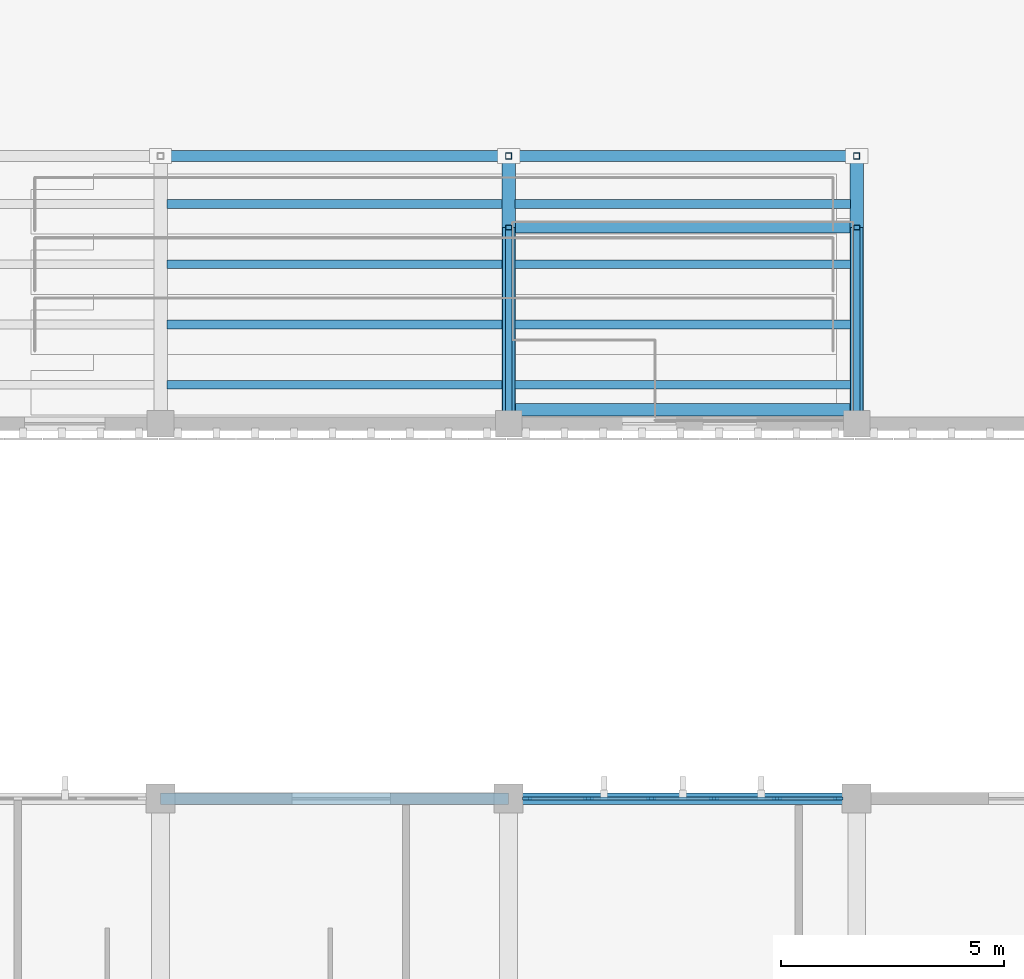
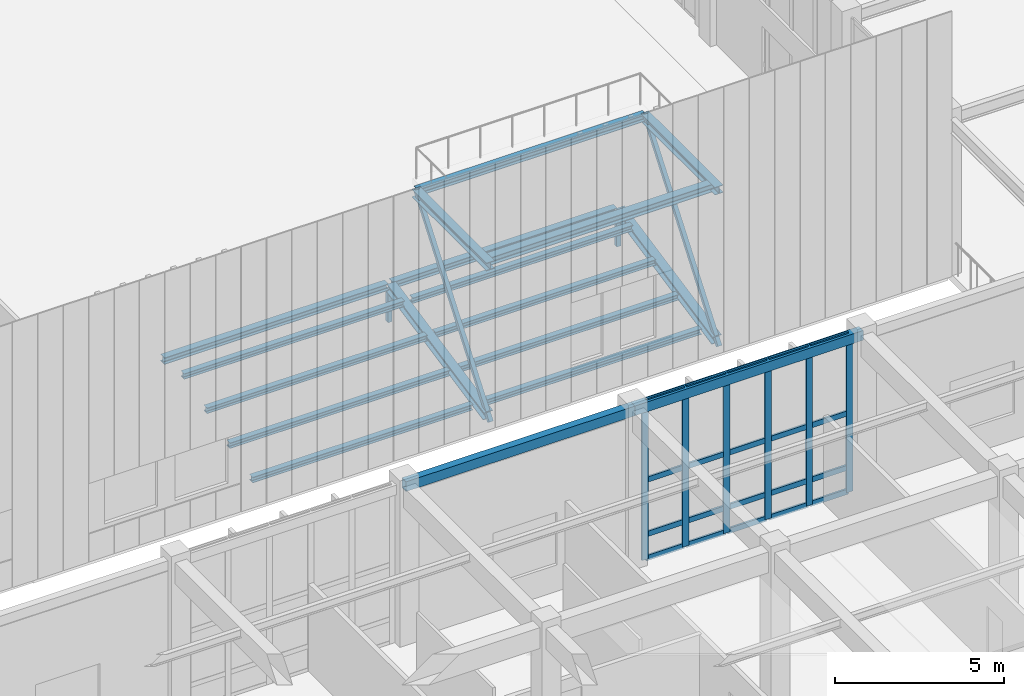
# One storey, part 16 of 105: 30 members, 18 beams, 1 element without a shape of its own.
"""IFC4 building model written with IfcOpenShell, lengths in metres."""

from ifc_helpers import new_model, si_unit, direction, frame, origin, origin_2d, place, context, subcontext, project, spatial, rectangle, hollow_rectangle, i_section, extrude, material, material_profile, profile_set, type_object, element, aggregate, save


model = new_model("IFC4")

# Units and contexts
model_context = context("Model", 3, precision=1e-05, world=origin(), true_north=direction((0.0, 1.0)))
body_context = subcontext(model_context, "Body", "Model", "MODEL_VIEW")
ifc_project = project(units=[si_unit("LENGTHUNIT", "METRE"), si_unit("AREAUNIT", "SQUARE_METRE"), si_unit("VOLUMEUNIT", "CUBIC_METRE"), si_unit("PLANEANGLEUNIT", "RADIAN"), si_unit("MASSUNIT", "GRAM", prefix="KILO")], contexts=[model_context])

# Site, building, storey
site_placement = place(None, origin())
site = spatial("IfcSite", under=ifc_project, at=site_placement, CompositionType="ELEMENT")
building_placement = place(site_placement, origin())
building = spatial("IfcBuilding", under=site, at=building_placement, Name="Tizgana Railside Sports Hall", CompositionType="ELEMENT")
storey_placement = place(building_placement, frame((0.0, 0.0, 6.0)))
storey = spatial("IfcBuildingStorey", under=building, at=storey_placement, Name="L01", CompositionType="ELEMENT", Elevation=6.0)

# Curtain wall, members
ifc_material_1 = material(Name="Anodised aluminium and glass", Category="aluminium")
curtain_wall_type = type_object("IfcCurtainWallType", Name="Unitised Curtain Wall WestHall 1560", PredefinedType="NOTDEFINED", material=ifc_material_1)
curtain_wall_placement = place(storey_placement, origin())
curtain_wall = element("IfcCurtainWall", 1, at=curtain_wall_placement, inside=storey, type_object=curtain_wall_type, Name="L01 Curtain Wall CW-0094", PredefinedType="NOTDEFINED")
ifc_material_2 = material(Name="Anodised aluminium", Category="aluminium")
ifc_material_profile_1 = material_profile(ifc_material_2, rectangle(XDim=0.070068359375, YDim=0.219970703125, at=origin_2d()), Name="Mullion 70x220")
ifc_profile_set_1 = profile_set([ifc_material_profile_1], Name="Anodised aluminium")
member_type_1 = type_object("IfcMemberType", Name="Mullion 70x220", PredefinedType="MULLION", material=ifc_profile_set_1)
member_1_placement = place(storey_placement, frame((39.4150390625, 32.39990234375, 0.0), z_axis=(0.0, 0.0, 1.0), x_axis=(0.0, 1.0, 0.0)))
member_1 = element("IfcMember", 2, at=member_1_placement, type_object=member_type_1, Name="CW-07 mullion 1", PredefinedType="MULLION", context=body_context, shape_type="SweptSolid", body=[
    extrude(rectangle(XDim=0.070068359375, YDim=0.219970703125, at=origin_2d()), origin(), (0.0, 0.0, 1.0), 5.719970703125),
])
member_2_placement = place(storey_placement, frame((40.7880859375, 32.39990234375, 0.0), z_axis=(0.0, 0.0, 1.0), x_axis=(0.0, 1.0, 0.0)))
member_2 = element("IfcMember", 3, at=member_2_placement, type_object=member_type_1, Name="CW-07 mullion 2", PredefinedType="MULLION", context=body_context, shape_type="SweptSolid", body=[
    extrude(rectangle(XDim=0.070068359375, YDim=0.219970703125, at=origin_2d()), origin(), (0.0, 0.0, 1.0), 5.719970703125),
])
member_3_placement = place(storey_placement, frame((42.196044921875, 32.39990234375, 0.0), z_axis=(0.0, 0.0, 1.0), x_axis=(0.0, 1.0, 0.0)))
member_3 = element("IfcMember", 4, at=member_3_placement, type_object=member_type_1, Name="CW-07 mullion 3", PredefinedType="MULLION", context=body_context, shape_type="SweptSolid", body=[
    extrude(rectangle(XDim=0.070068359375, YDim=0.219970703125, at=origin_2d()), origin(), (0.0, 0.0, 1.0), 5.719970703125),
])
member_4_placement = place(storey_placement, frame((43.60400390625, 32.39990234375, 0.0), z_axis=(0.0, 0.0, 1.0), x_axis=(0.0, 1.0, 0.0)))
member_4 = element("IfcMember", 5, at=member_4_placement, type_object=member_type_1, Name="CW-07 mullion 4", PredefinedType="MULLION", context=body_context, shape_type="SweptSolid", body=[
    extrude(rectangle(XDim=0.070068359375, YDim=0.219970703125, at=origin_2d()), origin(), (0.0, 0.0, 1.0), 5.719970703125),
])
member_5_placement = place(storey_placement, frame((45.011962890625, 32.39990234375, 0.0), z_axis=(0.0, 0.0, 1.0), x_axis=(0.0, 1.0, 0.0)))
member_5 = element("IfcMember", 6, at=member_5_placement, type_object=member_type_1, Name="CW-07 mullion 5", PredefinedType="MULLION", context=body_context, shape_type="SweptSolid", body=[
    extrude(rectangle(XDim=0.070068359375, YDim=0.219970703125, at=origin_2d()), origin(), (0.0, 0.0, 1.0), 5.719970703125),
])
member_6_placement = place(storey_placement, frame((46.385009765625, 32.39990234375, 0.0), z_axis=(0.0, 0.0, 1.0), x_axis=(0.0, 1.0, 0.0)))
member_6 = element("IfcMember", 7, at=member_6_placement, type_object=member_type_1, Name="CW-07 mullion 6", PredefinedType="MULLION", context=body_context, shape_type="SweptSolid", body=[
    extrude(rectangle(XDim=0.070068359375, YDim=0.219970703125, at=origin_2d()), origin(), (0.0, 0.0, 1.0), 5.719970703125),
])

# Beams
ifc_material_3 = material(Name="Steel S355J2", Category="steel")
ifc_material_profile_2 = material_profile(ifc_material_3, i_section(OverallWidth=0.199951171875, OverallDepth=0.199951171875, WebThickness=0.009033203125, FlangeThickness=0.014892578125, FilletRadius=0.01806640625, at=origin_2d()), Name="HEB 200")
ifc_profile_set_2 = profile_set([ifc_material_profile_2], Name="Steel S355J2")
beam_type_1 = type_object("IfcBeamType", Name="Steel Beam HEB 200", PredefinedType="BEAM", material=ifc_profile_set_2)
for number, where, z_axis, x_axis, name in (
    (8, (31.344970703125, 41.675048828125, 0.10498046875), (1.0, 0.0, 0.0), (0.0, 1.0, 0.0), "L01 Stand Stringer BEM-0022"),
    (9, (39.14501953125, 41.675048828125, 0.10498046875), (1.0, 0.0, 0.0), (0.0, 1.0, 0.0), "L01 Stand Stringer BEM-0023"),
    (10, (31.344970703125, 43.02490234375, 0.52490234375), (1.0, 0.0, 0.0), (0.0, 1.0, 0.0), "L01 Stand Stringer BEM-0027"),
    (11, (39.14501953125, 43.02490234375, 0.52490234375), (1.0, 0.0, 0.0), (0.0, 1.0, 0.0), "L01 Stand Stringer BEM-0028"),
    (12, (31.344970703125, 44.375, 0.965087890625), (1.0, 0.0, 0.0), (0.0, 1.0, 0.0), "L01 Stand Stringer BEM-0032"),
    (13, (39.14501953125, 44.375, 0.965087890625), (1.0, 0.0, 0.0), (0.0, 1.0, 0.0), "L01 Stand Stringer BEM-0033"),
    (14, (31.344970703125, 45.72509765625, 1.385009765625), (1.0, 0.0, 0.0), (0.0, 1.0, 0.0), "L01 Stand Stringer BEM-0037"),
    (15, (39.14501953125, 45.72509765625, 1.385009765625), (1.0, 0.0, 0.0), (0.0, 1.0, 0.0), "L01 Stand Stringer BEM-0038"),
):
    element("IfcBeam", number, at=place(storey_placement, frame(where, z_axis=z_axis, x_axis=x_axis)), inside=storey, type_object=beam_type_1, Name=name, PredefinedType="BEAM", context=body_context, shape_type="SweptSolid", body=[
        extrude(i_section(OverallWidth=0.199951171875, OverallDepth=0.199951171875, WebThickness=0.009033203125, FlangeThickness=0.014892578125, FilletRadius=0.01806640625, at=origin_2d()), origin(), (0.0, 0.0, 1.0), 7.510009765625),
    ])
ifc_material_profile_3 = material_profile(ifc_material_3, i_section(OverallWidth=0.239990234375, OverallDepth=0.239990234375, WebThickness=0.010009765625, FlangeThickness=0.01708984375, FilletRadius=0.02099609375, at=origin_2d()), Name="HEB 240")
ifc_profile_set_3 = profile_set([ifc_material_profile_3], Name="Steel S355J2")
beam_type_2 = type_object("IfcBeamType", Name="Steel Beam HEB 240", PredefinedType="BEAM", material=ifc_profile_set_3)
for number, where, z_axis, x_axis, name in (
    (16, (31.280029296875, 46.800048828125, 1.320068359375), (1.0, 0.0, 0.0), (0.0, 1.0, 0.0), "L01 Stand Rear Header SHB-0004"),
    (17, (39.080078125, 46.800048828125, 1.320068359375), (1.0, 0.0, 0.0), (0.0, 1.0, 0.0), "L01 Stand Rear Header SHB-0005"),
):
    element("IfcBeam", number, at=place(storey_placement, frame(where, z_axis=z_axis, x_axis=x_axis)), inside=storey, type_object=beam_type_2, Name=name, PredefinedType="BEAM", context=body_context, shape_type="SweptSolid", body=[
        extrude(i_section(OverallWidth=0.239990234375, OverallDepth=0.239990234375, WebThickness=0.010009765625, FlangeThickness=0.01708984375, FilletRadius=0.02099609375, at=origin_2d()), origin(), (0.0, 0.0, 1.0), 7.639892578125),
    ])
beam_1_placement = place(storey_placement, frame((39.0, 45.199951171875, 5.64990234375), z_axis=(1.0, 0.0, 0.0), x_axis=(0.0, 1.0, 0.0)))
element("IfcBeam", 18, at=beam_1_placement, inside=storey, type_object=beam_type_2, Name="L01 BEM-1250", PredefinedType="BEAM", context=body_context, shape_type="SweptSolid", body=[
    extrude(i_section(OverallWidth=0.239990234375, OverallDepth=0.239990234375, WebThickness=0.010009765625, FlangeThickness=0.01708984375, FilletRadius=0.02099609375, at=origin_2d()), origin(), (0.0, 0.0, 1.0), 7.800048828125),
])
ifc_material_profile_4 = material_profile(ifc_material_3, i_section(OverallWidth=0.280029296875, OverallDepth=0.280029296875, WebThickness=0.010498046875, FlangeThickness=0.01806640625, FilletRadius=0.02392578125, at=origin_2d()), Name="HEB 280")
ifc_profile_set_4 = profile_set([ifc_material_profile_4], Name="Steel S355J2")
beam_type_3 = type_object("IfcBeamType", Name="Steel Beam HEB 280", PredefinedType="BEAM", material=ifc_profile_set_4)
beam_2_placement = place(storey_placement, frame((39.0, 41.1201171875, 5.6298828125), z_axis=(1.0, 0.0, 0.0), x_axis=(0.0, 1.0, 0.0)))
element("IfcBeam", 19, at=beam_2_placement, inside=storey, type_object=beam_type_3, Name="L01 BEM-1249", PredefinedType="BEAM", context=body_context, shape_type="SweptSolid", body=[
    extrude(i_section(OverallWidth=0.280029296875, OverallDepth=0.280029296875, WebThickness=0.010498046875, FlangeThickness=0.01806640625, FilletRadius=0.02392578125, at=origin_2d()), origin(), (0.0, 0.0, 1.0), 7.800048828125),
])
for number, where, z_axis, x_axis, name in (
    (20, (39.0, 40.800048828125, 5.6298828125), (0.0, 1.0, 0.0), (-1.0, 0.0, 0.0), "L01 BEM-1251"),
    (21, (46.800048828125, 40.800048828125, 5.6298828125), (0.0, 1.0, 0.0), (-1.0, 0.0, 0.0), "L01 BEM-1252"),
):
    element("IfcBeam", number, at=place(storey_placement, frame(where, z_axis=z_axis, x_axis=x_axis)), inside=storey, type_object=beam_type_3, Name=name, PredefinedType="BEAM", context=body_context, shape_type="SweptSolid", body=[
        extrude(i_section(OverallWidth=0.280029296875, OverallDepth=0.280029296875, WebThickness=0.010498046875, FlangeThickness=0.01806640625, FilletRadius=0.02392578125, at=origin_2d()), origin(), (0.0, 0.0, 1.0), 4.39990234375),
    ])
ifc_material_profile_5 = material_profile(ifc_material_3, i_section(OverallWidth=0.300048828125, OverallDepth=0.300048828125, WebThickness=0.010986328125, FlangeThickness=0.01904296875, FilletRadius=0.027099609375, at=origin_2d()), Name="HEB 300")
ifc_profile_set_5 = profile_set([ifc_material_profile_5], Name="Steel S355J2")
beam_type_4 = type_object("IfcBeamType", Name="Steel Beam HEB 300", PredefinedType="BEAM", material=ifc_profile_set_5)
for number, where, z_axis, x_axis, name in (
    (22, (39.0, 40.949951171875, 0.14990234375), (0.0, 0.979812896837, 0.199916700632), (-1.0, 0.0, 0.0), "L01 Stand Main Raker BEM-0017"),
    (23, (46.800048828125, 40.949951171875, 0.14990234375), (0.0, 0.979812896837, 0.199916700632), (-1.0, 0.0, 0.0), "L01 Stand Main Raker BEM-0018"),
):
    element("IfcBeam", number, at=place(storey_placement, frame(where, z_axis=z_axis, x_axis=x_axis)), inside=storey, type_object=beam_type_4, Name=name, PredefinedType="BEAM", context=body_context, shape_type="SweptSolid", body=[
        extrude(i_section(OverallWidth=0.300048828125, OverallDepth=0.300048828125, WebThickness=0.010986328125, FlangeThickness=0.01904296875, FilletRadius=0.027099609375, at=origin_2d()), origin(), (0.0, 0.0, 1.0), 5.853271484375),
    ])

# Members
ifc_material_profile_6 = material_profile(ifc_material_3, hollow_rectangle(XDim=0.139892578125, YDim=0.139892578125, WallThickness=0.008056640625, at=origin_2d()), Name="SHS 140x140x8")
ifc_profile_set_6 = profile_set([ifc_material_profile_6], Name="Steel S355J2")
member_type_2 = type_object("IfcMemberType", Name="Steel Brace SHS 140x140x8", PredefinedType="BRACE", material=ifc_profile_set_6)
for number, where, z_axis, x_axis, name in (
    (24, (39.0, 46.800048828125, 0.0), (0.0, 0.0, 1.0), (1.0, 0.0, 0.0), "L01 Stand Strut"),
    (25, (46.800048828125, 46.800048828125, 0.0), (0.0, 0.0, 1.0), (1.0, 0.0, 0.0), "L01 Stand Strut"),
):
    element("IfcMember", number, at=place(storey_placement, frame(where, z_axis=z_axis, x_axis=x_axis)), inside=storey, type_object=member_type_2, Name=name, PredefinedType="BRACE", context=body_context, shape_type="SweptSolid", body=[
        extrude(hollow_rectangle(XDim=0.139892578125, YDim=0.139892578125, WallThickness=0.008056640625, at=origin_2d()), origin(), (0.0, 0.0, 1.0), 1.18994140625),
    ])
for number, where, z_axis, x_axis, name in (
    (26, (39.0, 40.800048828125, 0.0), (0.0, 0.606365528469, 0.795186044825), (-1.0, 0.0, 0.0), "L01 Catwalk Raker"),
    (27, (46.800048828125, 40.800048828125, 0.0), (0.0, 0.606365528469, 0.795186044825), (-1.0, 0.0, 0.0), "L01 Catwalk Raker"),
):
    element("IfcMember", number, at=place(storey_placement, frame(where, z_axis=z_axis, x_axis=x_axis)), inside=storey, type_object=member_type_2, Name=name, PredefinedType="BRACE", context=body_context, shape_type="SweptSolid", body=[
        extrude(hollow_rectangle(XDim=0.139892578125, YDim=0.139892578125, WallThickness=0.008056640625, at=origin_2d()), origin(), (0.0, 0.0, 1.0), 7.256103515625),
    ])

# Beams
ifc_material_profile_7 = material_profile(ifc_material_3, hollow_rectangle(XDim=0.25, YDim=0.35009765625, WallThickness=0.011962890625, at=origin_2d()), Name="RHS 350x250x12")
ifc_profile_set_7 = profile_set([ifc_material_profile_7], Name="Steel S355J2")
beam_type_5 = type_object("IfcBeamType", Name="Steel Spandrel RHS 350x250x12", PredefinedType="SPANDREL", material=ifc_profile_set_7)
for number, where, z_axis, x_axis, name in (
    (28, (31.199951171875, 32.39990234375, 5.56103515625), (1.0, 0.0, 0.0), (0.0, 1.0, 0.0), "L01 BEM-0537"),
    (29, (39.0, 32.39990234375, 5.56103515625), (1.0, 0.0, 0.0), (0.0, 1.0, 0.0), "L01 BEM-0545"),
):
    element("IfcBeam", number, at=place(storey_placement, frame(where, z_axis=z_axis, x_axis=x_axis)), inside=storey, type_object=beam_type_5, Name=name, PredefinedType="SPANDREL", context=body_context, shape_type="SweptSolid", body=[
        extrude(hollow_rectangle(XDim=0.25, YDim=0.35009765625, WallThickness=0.011962890625, at=origin_2d()), origin(), (0.0, 0.0, 1.0), 7.800048828125),
    ])

# Member
ifc_material_profile_8 = material_profile(ifc_material_2, rectangle(XDim=0.070068359375, YDim=0.18994140625, at=origin_2d()), Name="Transom 70x190")
ifc_profile_set_8 = profile_set([ifc_material_profile_8], Name="Anodised aluminium")
member_type_3 = type_object("IfcMemberType", Name="Transom 70x190", PredefinedType="USERDEFINED", material=ifc_profile_set_8)
member_7_placement = place(storey_placement, frame((39.449951171875, 32.39990234375, 0.034912109375), z_axis=(1.0, 0.0, 0.0), x_axis=(0.0, 1.0, 0.0)))
member_7 = element("IfcMember", 30, at=member_7_placement, type_object=member_type_3, Name="CW-07 transom 1.1", ObjectType="TRANSOM", PredefinedType="USERDEFINED", context=body_context, shape_type="SweptSolid", body=[
    extrude(rectangle(XDim=0.070068359375, YDim=0.18994140625, at=origin_2d()), origin(), (0.0, 0.0, 1.0), 1.302978515625),
])

member_8_placement = place(storey_placement, frame((39.449951171875, 32.39990234375, 0.89990234375), z_axis=(1.0, 0.0, 0.0), x_axis=(0.0, 1.0, 0.0)))
member_8 = element("IfcMember", 31, at=member_8_placement, type_object=member_type_3, Name="CW-07 transom 1.2", ObjectType="TRANSOM", PredefinedType="USERDEFINED", context=body_context, shape_type="SweptSolid", body=[
    extrude(rectangle(XDim=0.070068359375, YDim=0.18994140625, at=origin_2d()), origin(), (0.0, 0.0, 1.0), 1.302978515625),
])

member_9_placement = place(storey_placement, frame((39.449951171875, 32.39990234375, 2.860107421875), z_axis=(1.0, 0.0, 0.0), x_axis=(0.0, 1.0, 0.0)))
member_9 = element("IfcMember", 32, at=member_9_placement, type_object=member_type_3, Name="CW-07 transom 1.3", ObjectType="TRANSOM", PredefinedType="USERDEFINED", context=body_context, shape_type="SweptSolid", body=[
    extrude(rectangle(XDim=0.070068359375, YDim=0.18994140625, at=origin_2d()), origin(), (0.0, 0.0, 1.0), 1.302978515625),
])

member_10_placement = place(storey_placement, frame((39.449951171875, 32.39990234375, 5.68505859375), z_axis=(1.0, 0.0, 0.0), x_axis=(0.0, 1.0, 0.0)))
member_10 = element("IfcMember", 33, at=member_10_placement, type_object=member_type_3, Name="CW-07 transom 1.4", ObjectType="TRANSOM", PredefinedType="USERDEFINED", context=body_context, shape_type="SweptSolid", body=[
    extrude(rectangle(XDim=0.070068359375, YDim=0.18994140625, at=origin_2d()), origin(), (0.0, 0.0, 1.0), 1.302978515625),
])

member_11_placement = place(storey_placement, frame((40.822998046875, 32.39990234375, 0.034912109375), z_axis=(1.0, 0.0, 0.0), x_axis=(0.0, 1.0, 0.0)))
member_11 = element("IfcMember", 34, at=member_11_placement, type_object=member_type_3, Name="CW-07 transom 2.1", ObjectType="TRANSOM", PredefinedType="USERDEFINED", context=body_context, shape_type="SweptSolid", body=[
    extrude(rectangle(XDim=0.070068359375, YDim=0.18994140625, at=origin_2d()), origin(), (0.0, 0.0, 1.0), 1.337890625),
])

member_12_placement = place(storey_placement, frame((40.822998046875, 32.39990234375, 0.89990234375), z_axis=(1.0, 0.0, 0.0), x_axis=(0.0, 1.0, 0.0)))
member_12 = element("IfcMember", 35, at=member_12_placement, type_object=member_type_3, Name="CW-07 transom 2.2", ObjectType="TRANSOM", PredefinedType="USERDEFINED", context=body_context, shape_type="SweptSolid", body=[
    extrude(rectangle(XDim=0.070068359375, YDim=0.18994140625, at=origin_2d()), origin(), (0.0, 0.0, 1.0), 1.337890625),
])

member_13_placement = place(storey_placement, frame((40.822998046875, 32.39990234375, 2.860107421875), z_axis=(1.0, 0.0, 0.0), x_axis=(0.0, 1.0, 0.0)))
member_13 = element("IfcMember", 36, at=member_13_placement, type_object=member_type_3, Name="CW-07 transom 2.3", ObjectType="TRANSOM", PredefinedType="USERDEFINED", context=body_context, shape_type="SweptSolid", body=[
    extrude(rectangle(XDim=0.070068359375, YDim=0.18994140625, at=origin_2d()), origin(), (0.0, 0.0, 1.0), 1.337890625),
])

member_14_placement = place(storey_placement, frame((40.822998046875, 32.39990234375, 5.68505859375), z_axis=(1.0, 0.0, 0.0), x_axis=(0.0, 1.0, 0.0)))
member_14 = element("IfcMember", 37, at=member_14_placement, type_object=member_type_3, Name="CW-07 transom 2.4", ObjectType="TRANSOM", PredefinedType="USERDEFINED", context=body_context, shape_type="SweptSolid", body=[
    extrude(rectangle(XDim=0.070068359375, YDim=0.18994140625, at=origin_2d()), origin(), (0.0, 0.0, 1.0), 1.337890625),
])

member_15_placement = place(storey_placement, frame((42.23095703125, 32.39990234375, 0.034912109375), z_axis=(1.0, 0.0, 0.0), x_axis=(0.0, 1.0, 0.0)))
member_15 = element("IfcMember", 38, at=member_15_placement, type_object=member_type_3, Name="CW-07 transom 3.1", ObjectType="TRANSOM", PredefinedType="USERDEFINED", context=body_context, shape_type="SweptSolid", body=[
    extrude(rectangle(XDim=0.070068359375, YDim=0.18994140625, at=origin_2d()), origin(), (0.0, 0.0, 1.0), 1.338134765625),
])

member_16_placement = place(storey_placement, frame((42.23095703125, 32.39990234375, 0.89990234375), z_axis=(1.0, 0.0, 0.0), x_axis=(0.0, 1.0, 0.0)))
member_16 = element("IfcMember", 39, at=member_16_placement, type_object=member_type_3, Name="CW-07 transom 3.2", ObjectType="TRANSOM", PredefinedType="USERDEFINED", context=body_context, shape_type="SweptSolid", body=[
    extrude(rectangle(XDim=0.070068359375, YDim=0.18994140625, at=origin_2d()), origin(), (0.0, 0.0, 1.0), 1.338134765625),
])

member_17_placement = place(storey_placement, frame((42.23095703125, 32.39990234375, 2.860107421875), z_axis=(1.0, 0.0, 0.0), x_axis=(0.0, 1.0, 0.0)))
member_17 = element("IfcMember", 40, at=member_17_placement, type_object=member_type_3, Name="CW-07 transom 3.3", ObjectType="TRANSOM", PredefinedType="USERDEFINED", context=body_context, shape_type="SweptSolid", body=[
    extrude(rectangle(XDim=0.070068359375, YDim=0.18994140625, at=origin_2d()), origin(), (0.0, 0.0, 1.0), 1.338134765625),
])

member_18_placement = place(storey_placement, frame((42.23095703125, 32.39990234375, 5.68505859375), z_axis=(1.0, 0.0, 0.0), x_axis=(0.0, 1.0, 0.0)))
member_18 = element("IfcMember", 41, at=member_18_placement, type_object=member_type_3, Name="CW-07 transom 3.4", ObjectType="TRANSOM", PredefinedType="USERDEFINED", context=body_context, shape_type="SweptSolid", body=[
    extrude(rectangle(XDim=0.070068359375, YDim=0.18994140625, at=origin_2d()), origin(), (0.0, 0.0, 1.0), 1.338134765625),
])

member_19_placement = place(storey_placement, frame((43.638916015625, 32.39990234375, 0.034912109375), z_axis=(1.0, 0.0, 0.0), x_axis=(0.0, 1.0, 0.0)))
member_19 = element("IfcMember", 42, at=member_19_placement, type_object=member_type_3, Name="CW-07 transom 4.1", ObjectType="TRANSOM", PredefinedType="USERDEFINED", context=body_context, shape_type="SweptSolid", body=[
    extrude(rectangle(XDim=0.070068359375, YDim=0.18994140625, at=origin_2d()), origin(), (0.0, 0.0, 1.0), 1.338134765625),
])

member_20_placement = place(storey_placement, frame((43.638916015625, 32.39990234375, 0.89990234375), z_axis=(1.0, 0.0, 0.0), x_axis=(0.0, 1.0, 0.0)))
member_20 = element("IfcMember", 43, at=member_20_placement, type_object=member_type_3, Name="CW-07 transom 4.2", ObjectType="TRANSOM", PredefinedType="USERDEFINED", context=body_context, shape_type="SweptSolid", body=[
    extrude(rectangle(XDim=0.070068359375, YDim=0.18994140625, at=origin_2d()), origin(), (0.0, 0.0, 1.0), 1.338134765625),
])

member_21_placement = place(storey_placement, frame((43.638916015625, 32.39990234375, 2.860107421875), z_axis=(1.0, 0.0, 0.0), x_axis=(0.0, 1.0, 0.0)))
member_21 = element("IfcMember", 44, at=member_21_placement, type_object=member_type_3, Name="CW-07 transom 4.3", ObjectType="TRANSOM", PredefinedType="USERDEFINED", context=body_context, shape_type="SweptSolid", body=[
    extrude(rectangle(XDim=0.070068359375, YDim=0.18994140625, at=origin_2d()), origin(), (0.0, 0.0, 1.0), 1.338134765625),
])

member_22_placement = place(storey_placement, frame((43.638916015625, 32.39990234375, 5.68505859375), z_axis=(1.0, 0.0, 0.0), x_axis=(0.0, 1.0, 0.0)))
member_22 = element("IfcMember", 45, at=member_22_placement, type_object=member_type_3, Name="CW-07 transom 4.4", ObjectType="TRANSOM", PredefinedType="USERDEFINED", context=body_context, shape_type="SweptSolid", body=[
    extrude(rectangle(XDim=0.070068359375, YDim=0.18994140625, at=origin_2d()), origin(), (0.0, 0.0, 1.0), 1.338134765625),
])

member_23_placement = place(storey_placement, frame((45.047119140625, 32.39990234375, 0.034912109375), z_axis=(1.0, 0.0, 0.0), x_axis=(0.0, 1.0, 0.0)))
member_23 = element("IfcMember", 46, at=member_23_placement, type_object=member_type_3, Name="CW-07 transom 5.1", ObjectType="TRANSOM", PredefinedType="USERDEFINED", context=body_context, shape_type="SweptSolid", body=[
    extrude(rectangle(XDim=0.070068359375, YDim=0.18994140625, at=origin_2d()), origin(), (0.0, 0.0, 1.0), 1.302978515625),
])

member_24_placement = place(storey_placement, frame((45.047119140625, 32.39990234375, 0.89990234375), z_axis=(1.0, 0.0, 0.0), x_axis=(0.0, 1.0, 0.0)))
member_24 = element("IfcMember", 47, at=member_24_placement, type_object=member_type_3, Name="CW-07 transom 5.2", ObjectType="TRANSOM", PredefinedType="USERDEFINED", context=body_context, shape_type="SweptSolid", body=[
    extrude(rectangle(XDim=0.070068359375, YDim=0.18994140625, at=origin_2d()), origin(), (0.0, 0.0, 1.0), 1.302978515625),
])

member_25_placement = place(storey_placement, frame((45.047119140625, 32.39990234375, 2.860107421875), z_axis=(1.0, 0.0, 0.0), x_axis=(0.0, 1.0, 0.0)))
member_25 = element("IfcMember", 48, at=member_25_placement, type_object=member_type_3, Name="CW-07 transom 5.3", ObjectType="TRANSOM", PredefinedType="USERDEFINED", context=body_context, shape_type="SweptSolid", body=[
    extrude(rectangle(XDim=0.070068359375, YDim=0.18994140625, at=origin_2d()), origin(), (0.0, 0.0, 1.0), 1.302978515625),
])

member_26_placement = place(storey_placement, frame((45.047119140625, 32.39990234375, 5.68505859375), z_axis=(1.0, 0.0, 0.0), x_axis=(0.0, 1.0, 0.0)))
member_26 = element("IfcMember", 49, at=member_26_placement, type_object=member_type_3, Name="CW-07 transom 5.4", ObjectType="TRANSOM", PredefinedType="USERDEFINED", context=body_context, shape_type="SweptSolid", body=[
    extrude(rectangle(XDim=0.070068359375, YDim=0.18994140625, at=origin_2d()), origin(), (0.0, 0.0, 1.0), 1.302978515625),
])

aggregate(curtain_wall, [member_1, member_2, member_3, member_4, member_5, member_6, member_7, member_8, member_9, member_10, member_11, member_12, member_13, member_14, member_15, member_16, member_17, member_18, member_19, member_20, member_21, member_22, member_23, member_24, member_25, member_26])

save(model, "model.ifc")
